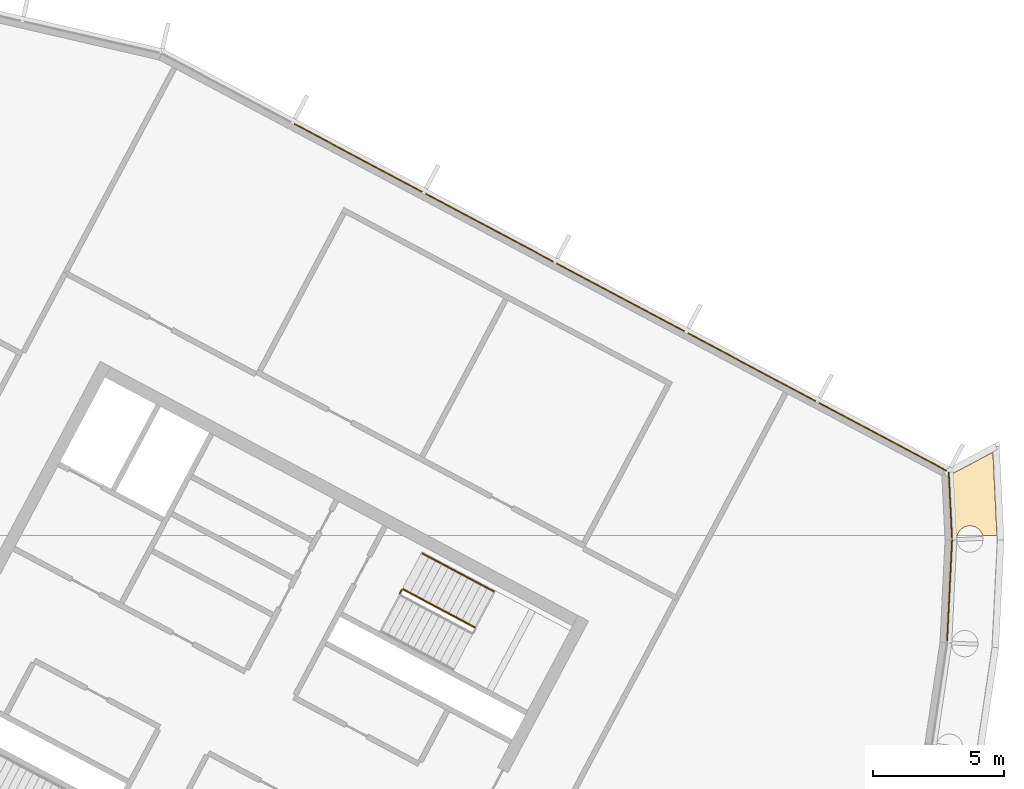
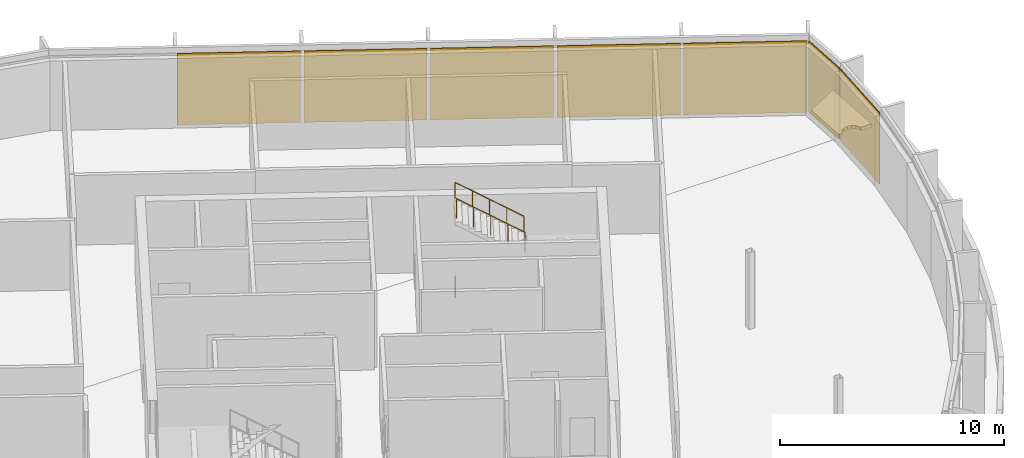
# One storey, part 15 of 16: 8 coverings, 3 railings, 3 elements without a shape of their own.
"""IFC4 building model written with IfcOpenShell, lengths in metres."""

import ifcopenshell
import ifcopenshell.guid

model = None  # the IFC model being written
_history = None  # IfcOwnerHistory: only IFC2X3 demands one
_inside = {}  # id of a spatial element -> (the spatial element, [elements in it])
_under = {}  # id of a project, library or spatial element -> (it, [spatial elements below it])
_declared = {}  # id of a project -> (the project, [libraries it declares])
_typed = {}  # id of a type object -> (the type object, [elements of that type])
_made_of = {}  # id of a material, layer set ... -> (it, [elements and type objects made of it])


def new_model(schema):
    """Start an empty IFC model of exactly this schema.

    Asked for "IFC4X3", IfcOpenShell would pick the latest addendum, in which some entities
    have other attributes; the version numbers below select the first issue.
    IFC2X3 requires an IfcOwnerHistory on every rooted entity: one is made here for all.
    """
    global model, _history
    if schema == "IFC4X3":
        model = ifcopenshell.file(schema_version=(4, 3, 0, 0))
    else:
        model = ifcopenshell.file(schema=schema)
    _inside.clear()
    _under.clear()
    _declared.clear()
    _typed.clear()
    _made_of.clear()
    _history = None
    if model.schema == "IFC2X3":
        org = make("IfcOrganization", Name="unknown")
        user = make(
            "IfcPersonAndOrganization",
            ThePerson=make("IfcPerson", FamilyName="unknown"),
            TheOrganization=org,
        )
        app = make(
            "IfcApplication",
            ApplicationDeveloper=org,
            Version="unknown",
            ApplicationFullName="unknown",
            ApplicationIdentifier="unknown",
        )
        _history = make(
            "IfcOwnerHistory",
            OwningUser=user,
            OwningApplication=app,
            ChangeAction="ADDED",
            CreationDate=0,
        )
    return model


def make(cls, **values):
    """One entity of the class cls with the attributes given. An attribute that is None is left unset."""
    return model.create_entity(
        cls, **{name: value for name, value in values.items() if value is not None}
    )


def rooted(cls, **values):
    """An entity with a GlobalId (a new one), such as an element, a storey or a relation."""
    return make(cls, GlobalId=ifcopenshell.guid.new(), OwnerHistory=_history, **values)


def si_unit(unit_type, name, prefix=None):
    """IfcSIUnit, for example si_unit("LENGTHUNIT", "METRE", prefix="MILLI")."""
    return make("IfcSIUnit", UnitType=unit_type, Prefix=prefix, Name=name)


def assignment(units):
    """IfcUnitAssignment: the units of a project."""
    return None if units is None else make("IfcUnitAssignment", Units=units)


def point(xyz):
    """IfcCartesianPoint."""
    return None if xyz is None else make("IfcCartesianPoint", Coordinates=xyz)


def direction(xyz):
    """IfcDirection."""
    return None if xyz is None else make("IfcDirection", DirectionRatios=xyz)


def frame(location, z_axis=None, x_axis=None):
    """IfcAxis2Placement3D, a coordinate frame: its origin and axes. An axis left out is left unset."""
    return make(
        "IfcAxis2Placement3D",
        Location=point(location),
        Axis=direction(z_axis),
        RefDirection=direction(x_axis),
    )


def frame_2d(location, x_axis=None):
    """IfcAxis2Placement2D, a coordinate frame in the plane: its origin and x axis."""
    return make(
        "IfcAxis2Placement2D", Location=point(location), RefDirection=direction(x_axis)
    )


def origin():
    """The frame at (0, 0, 0) with its axes left unset."""
    return frame((0.0, 0.0, 0.0))


def origin_2d():
    """The frame at (0, 0) in the plane with its x axis left unset."""
    return frame_2d((0.0, 0.0))


def place(relative_to, where):
    """IfcLocalPlacement: puts the frame where relative to a parent placement (None: the world)."""
    return make(
        "IfcLocalPlacement", PlacementRelTo=relative_to, RelativePlacement=where
    )


def context(
    kind, dimensions, precision=None, world=None, true_north=None, identifier=None
):
    """IfcGeometricRepresentationContext, for example the 3D "Model" context."""
    return make(
        "IfcGeometricRepresentationContext",
        ContextIdentifier=identifier,
        ContextType=kind,
        CoordinateSpaceDimension=dimensions,
        Precision=precision,
        WorldCoordinateSystem=world,
        TrueNorth=true_north,
    )


def subcontext(parent, identifier, kind, view, scale=None):
    """IfcGeometricRepresentationSubContext, for example "Body" below "Model"."""
    return make(
        "IfcGeometricRepresentationSubContext",
        ContextIdentifier=identifier,
        ContextType=kind,
        ParentContext=parent,
        TargetScale=scale,
        TargetView=view,
    )


def project(units=None, contexts=None):
    """IfcProject with its units and contexts."""
    return rooted(
        "IfcProject",
        Name="project",
        RepresentationContexts=contexts,
        UnitsInContext=assignment(units),
    )


def spatial(cls, under=None, at=None, **own):
    """A site, building, storey or space (cls), placed at a placement, below another one or the project."""
    s = rooted(cls, ObjectPlacement=at, **own)
    if under is not None:
        _under.setdefault(under.id(), (under, []))[1].append(s)
    return s


def polyline(points):
    """IfcPolyline through the points."""
    return make("IfcPolyline", Points=[point(p) for p in points])


def profile(cls, at=None, kind="AREA", **sizes):
    """A parametric profile (cls). Its sizes go by their IFC names, for example OverallWidth=200.0."""
    return make(cls, ProfileType=kind, Position=at, **sizes)


def rectangle(**sizes):
    """IfcRectangleProfileDef."""
    return profile("IfcRectangleProfileDef", **sizes)


def outline(outer, holes=None, kind="AREA"):
    """IfcArbitraryClosedProfileDef: a profile drawn as a closed curve; with holes, ...WithVoids."""
    if holes is None:
        return make("IfcArbitraryClosedProfileDef", ProfileType=kind, OuterCurve=outer)
    return make(
        "IfcArbitraryProfileDefWithVoids",
        ProfileType=kind,
        OuterCurve=outer,
        InnerCurves=holes,
    )


def extrude(swept, where, along, depth):
    """IfcExtrudedAreaSolid: the profile swept, set in the frame where, extruded along a direction by depth."""
    return make(
        "IfcExtrudedAreaSolid",
        SweptArea=swept,
        Position=where,
        ExtrudedDirection=direction(along),
        Depth=depth,
    )


def shape(context_of_items, identifier, shape_type, items):
    """IfcShapeRepresentation: the items that make up one representation, for example the "Body"."""
    return make(
        "IfcShapeRepresentation",
        ContextOfItems=context_of_items,
        RepresentationIdentifier=identifier,
        RepresentationType=shape_type,
        Items=items,
    )


def material(Name=None, Category=None):
    """IfcMaterial."""
    return make("IfcMaterial", Name=Name, Category=Category)


def layer(
    of_material, thickness, ventilated=None, Name=None, Category=None, Priority=None
):
    """IfcMaterialLayer: one layer of a wall or slab, of a material (None: an air gap)."""
    return make(
        "IfcMaterialLayer",
        Material=of_material,
        LayerThickness=thickness,
        IsVentilated=ventilated,
        Name=Name,
        Category=Category,
        Priority=Priority,
    )


def layer_set(layers, Name=None):
    """IfcMaterialLayerSet."""
    return make("IfcMaterialLayerSet", MaterialLayers=layers, LayerSetName=Name)


def made_of(thing, what):
    """Note that an element or type object is made of a material, layer set ...; save() writes the relation."""
    if what is not None:
        _made_of.setdefault(what.id(), (what, []))[1].append(thing)
    return thing


def type_object(cls, material=None, **own):
    """A type object (cls), such as IfcWallType, which elements share."""
    return made_of(rooted(cls, **own), material)


def element(
    cls,
    number,
    at=None,
    inside=None,
    cuts=None,
    type_object=None,
    material=None,
    context=None,
    identifier="Body",
    shape_type=None,
    held_by="IfcProductDefinitionShape",
    body=None,
    shapes=None,
    **own,
):
    """One element of the class cls, such as IfcWall. Its Tag is "e" and its number.

    at: its placement. inside: the storey or other place that contains it. cuts: it is an
    opening in that element (IfcRelVoidsElement). A single representation is given by context,
    identifier, shape_type and body (its items); several are given by shapes. held_by: the class
    of the entity that holds the representations. save() writes the other relations.
    """
    e = rooted(cls, Tag="e%d" % number, ObjectPlacement=at, **own)
    if body is not None:
        shapes = [shape(context, identifier, shape_type, body)]
    if shapes is not None:
        e.Representation = make(held_by, Representations=shapes)
    if inside is not None:
        _inside.setdefault(inside.id(), (inside, []))[1].append(e)
    if cuts is not None:
        rooted(
            "IfcRelVoidsElement", RelatingBuildingElement=cuts, RelatedOpeningElement=e
        )
    if type_object is not None:
        _typed.setdefault(type_object.id(), (type_object, []))[1].append(e)
    return made_of(e, material)


def aggregate(whole, parts):
    """IfcRelAggregates: a whole, such as a stair, and the parts it consists of."""
    return rooted("IfcRelAggregates", RelatingObject=whole, RelatedObjects=parts)


def save(model, path):
    """Write the relations noted so far, then the file.

    IfcRelAggregates (storeys below a building ...), IfcRelContainedInSpatialStructure (elements
    in a storey), IfcRelDefinesByType, IfcRelAssociatesMaterial and IfcRelDeclares: one each for
    every whole, place, type object, material and project.
    """
    for whole, parts in _under.values():
        aggregate(whole, parts)
    for where, things in _inside.values():
        rooted(
            "IfcRelContainedInSpatialStructure",
            RelatedElements=things,
            RelatingStructure=where,
        )
    for kind, things in _typed.values():
        rooted("IfcRelDefinesByType", RelatedObjects=things, RelatingType=kind)
    for what, things in _made_of.values():
        rooted("IfcRelAssociatesMaterial", RelatedObjects=things, RelatingMaterial=what)
    for by, libraries in _declared.values():
        rooted("IfcRelDeclares", RelatingContext=by, RelatedDefinitions=libraries)
    model.write(path)


model = new_model("IFC4")

# Units and contexts
model_context = context("Model", 3, precision=1e-05, world=origin(), true_north=direction((0.0, 1.0)))
body_context = subcontext(model_context, "Body", "Model", "MODEL_VIEW")
ifc_project = project(units=[si_unit("LENGTHUNIT", "METRE"), si_unit("AREAUNIT", "SQUARE_METRE"), si_unit("VOLUMEUNIT", "CUBIC_METRE"), si_unit("PLANEANGLEUNIT", "RADIAN"), si_unit("MASSUNIT", "GRAM", prefix="KILO")], contexts=[model_context])

# Site, building, storey
site_placement = place(None, origin())
site = spatial("IfcSite", under=ifc_project, at=site_placement, CompositionType="ELEMENT")
building_placement = place(site_placement, origin())
building = spatial("IfcBuilding", under=site, at=building_placement, Name="Cormorant Relay Tower", CompositionType="ELEMENT")
storey_placement = place(building_placement, frame((0.0, 0.0, 340.800048828125)))
storey = spatial("IfcBuildingStorey", under=building, at=storey_placement, Name="C4", CompositionType="ELEMENT", Elevation=340.800048828125)

# Curtain wall, covering
ifc_material_1 = material(Name="Aluminium 6063-T6 anodised bronze", Category="aluminium")
ifc_layer_1 = layer(ifc_material_1, 0.199951171875)
ifc_layer_set_1 = layer_set([ifc_layer_1], Name="CW3 crown screen wall")
curtain_wall_type = type_object("IfcCurtainWallType", Name="CW3 crown screen wall", PredefinedType="NOTDEFINED", material=ifc_layer_set_1)
curtain_wall_1_placement = place(storey_placement, origin())
curtain_wall_1 = element("IfcCurtainWall", 1, at=curtain_wall_1_placement, inside=storey, type_object=curtain_wall_type, Name="CW3 curtain wall 12", PredefinedType="NOTDEFINED")
ifc_material_2 = material(Name="Perforated bronze anodised aluminium screen", Category="aluminium")
ifc_layer_2 = layer(ifc_material_2, 0.0400390625)
ifc_layer_set_2 = layer_set([ifc_layer_2], Name="CW3 perforated bronze screen panel 40")
covering_type_1 = type_object("IfcCoveringType", Name="CW3 perforated bronze screen panel 40", PredefinedType="CLADDING", material=ifc_layer_set_2)
covering_1_placement = place(storey_placement, frame((0.19287109375, 19.202392578125, 0.0), z_axis=(0.0, 0.0, 1.0), x_axis=(0.049067674327, 0.998795456205, 0.0)))
covering_1 = element("IfcCovering", 2, at=covering_1_placement, type_object=covering_type_1, Name="CW3 panel X00", PredefinedType="CLADDING", context=body_context, shape_type="SweptSolid", body=[
    extrude(rectangle(XDim=3.850341796875, YDim=0.0400390625, at=origin_2d()), origin(), (0.0, 0.0, 1.0), 3.89990234375),
])
aggregate(curtain_wall_1, [covering_1])

curtain_wall_2_placement = place(storey_placement, origin())
curtain_wall_2 = element("IfcCurtainWall", 3, at=curtain_wall_2_placement, inside=storey, type_object=curtain_wall_type, Name="CW3 curtain wall 13", PredefinedType="NOTDEFINED")
covering_2_placement = place(storey_placement, frame((0.221923828125, 22.456298828125, 0.0), z_axis=(0.0, 0.0, 1.0), x_axis=(-0.049067674327, 0.998795456205, 0.0)))
covering_2 = element("IfcCovering", 4, at=covering_2_placement, type_object=covering_type_1, Name="CW3 panel X00", PredefinedType="CLADDING", context=body_context, shape_type="SweptSolid", body=[
    extrude(rectangle(XDim=2.51123046875, YDim=0.0400390625, at=origin_2d()), origin(), (0.0, 0.0, 1.0), 3.89990234375),
])
aggregate(curtain_wall_2, [covering_2])

# Curtain wall, coverings
curtain_wall_3_placement = place(storey_placement, origin())
curtain_wall_3 = element("IfcCurtainWall", 5, at=curtain_wall_3_placement, inside=storey, type_object=curtain_wall_type, Name="CW3 curtain wall 14", PredefinedType="NOTDEFINED")
covering_3_placement = place(storey_placement, frame((-2.351318359375, 25.056884765625, 0.0), z_axis=(0.0, 0.0, 1.0), x_axis=(-0.882947592859, 0.469471562786, 0.0)))
covering_3 = element("IfcCovering", 6, at=covering_3_placement, type_object=covering_type_1, Name="CW3 panel X00", PredefinedType="CLADDING", context=body_context, shape_type="SweptSolid", body=[
    extrude(rectangle(XDim=5.515380859375, YDim=0.0400390625, at=origin_2d()), origin(), (0.0, 0.0, 1.0), 3.89990234375),
])
covering_4_placement = place(storey_placement, frame((-7.353759765625, 27.716796875, 0.0), z_axis=(0.0, 0.0, 1.0), x_axis=(-0.882947592859, 0.469471562786, 0.0)))
covering_4 = element("IfcCovering", 7, at=covering_4_placement, type_object=covering_type_1, Name="CW3 panel X01", PredefinedType="CLADDING", context=body_context, shape_type="SweptSolid", body=[
    extrude(rectangle(XDim=5.515380859375, YDim=0.0400390625, at=origin_2d()), origin(), (0.0, 0.0, 1.0), 3.89990234375),
])
covering_5_placement = place(storey_placement, frame((-12.356201171875, 30.37646484375, 0.0), z_axis=(0.0, 0.0, 1.0), x_axis=(-0.882947592859, 0.469471562786, 0.0)))
covering_5 = element("IfcCovering", 8, at=covering_5_placement, type_object=covering_type_1, Name="CW3 panel X02", PredefinedType="CLADDING", context=body_context, shape_type="SweptSolid", body=[
    extrude(rectangle(XDim=5.515380859375, YDim=0.0400390625, at=origin_2d()), origin(), (0.0, 0.0, 1.0), 3.89990234375),
])
covering_6_placement = place(storey_placement, frame((-17.3583984375, 33.036376953125, 0.0), z_axis=(0.0, 0.0, 1.0), x_axis=(-0.882947592859, 0.469471562786, 0.0)))
covering_6 = element("IfcCovering", 9, at=covering_6_placement, type_object=covering_type_1, Name="CW3 panel X03", PredefinedType="CLADDING", context=body_context, shape_type="SweptSolid", body=[
    extrude(rectangle(XDim=5.515380859375, YDim=0.0400390625, at=origin_2d()), origin(), (0.0, 0.0, 1.0), 3.89990234375),
])
covering_7_placement = place(storey_placement, frame((-22.36083984375, 35.696044921875, 0.0), z_axis=(0.0, 0.0, 1.0), x_axis=(-0.882947592859, 0.469471562786, 0.0)))
covering_7 = element("IfcCovering", 10, at=covering_7_placement, type_object=covering_type_1, Name="CW3 panel X04", PredefinedType="CLADDING", context=body_context, shape_type="SweptSolid", body=[
    extrude(rectangle(XDim=5.515380859375, YDim=0.0400390625, at=origin_2d()), origin(), (0.0, 0.0, 1.0), 3.89990234375),
])
aggregate(curtain_wall_3, [covering_3, covering_4, covering_5, covering_6, covering_7])

# Covering
ifc_material_3 = material(Name="Bituminous waterproof membrane on mineral wool insulation")
ifc_layer_3 = layer(ifc_material_3, 0.179931640625)
ifc_layer_set_3 = layer_set([ifc_layer_3], Name="Roof membrane and insulation 180")
covering_type_2 = type_object("IfcCoveringType", Name="Roof membrane and insulation 180", PredefinedType="ROOFING", material=ifc_layer_set_3)
covering_8_placement = place(storey_placement, origin())
element("IfcCovering", 11, at=covering_8_placement, inside=storey, type_object=covering_type_2, Name="Roof membrane", PredefinedType="ROOFING", context=body_context, shape_type="SweptSolid", body=[
    extrude(outline(polyline([(0.308837890625, 21.300048828125), (0.1962890625, 23.59375), (1.8427734375, 24.469482421875), (1.99853515625, 21.300048828125), (1.448974609375, 21.300048828125), (1.43798828125, 21.355712890625), (1.327392578125, 21.521484375), (1.16162109375, 21.632080078125), (0.966552734375, 21.6708984375), (0.771240234375, 21.632080078125), (0.605712890625, 21.521484375), (0.4951171875, 21.355712890625), (0.48388671875, 21.300048828125), (0.308837890625, 21.300048828125)])), origin(), (0.0, 0.0, 1.0), 0.179931640625),
])

# Railings
ifc_material_4 = material(Name="Steel ASTM A572 Grade 50 (Fy 345 MPa)", Category="steel")
railing_type_1 = type_object("IfcRailingType", Name="Stair guard 1100", PredefinedType="GUARDRAIL", material=ifc_material_4)
railing_1_placement = place(storey_placement, frame((-17.913818359375, 17.792724609375, 2.27490234375)))
element("IfcRailing", 12, at=railing_1_placement, inside=storey, type_object=railing_type_1, Name="C4 A1 stair guard 3", PredefinedType="GUARDRAIL", context=body_context, shape_type="SweptSolid", body=[
    extrude(outline(polyline([(0.022216796875, 0.00927734375), (0.00927734375, 0.022216796875), (-0.00927734375, 0.022216796875), (-0.022216796875, 0.00927734375), (-0.022216796875, -0.00927734375), (-0.00927734375, -0.022216796875), (0.00927734375, -0.022216796875), (0.022216796875, -0.00927734375), (0.022216796875, 0.00927734375)])), frame((0.0, 0.0, 1.076171875), z_axis=(-0.748747275397, 0.39806817173, 0.530018158408), x_axis=(-0.469427602063, -0.882970965786, 0.0)), (0.0, 0.0, 1.0), 3.632080078125),
    extrude(outline(polyline([(0.019287109375, 0.008056640625), (0.008056640625, 0.019287109375), (-0.008056640625, 0.019287109375), (-0.019287109375, 0.008056640625), (-0.019287109375, -0.008056640625), (-0.008056640625, -0.019287109375), (0.008056640625, -0.019287109375), (0.019287109375, -0.008056640625), (0.019287109375, 0.008056640625)])), origin(), (0.0, 0.0, 1.0), 1.052001953125),
    extrude(outline(polyline([(0.019287109375, 0.008056640625), (0.008056640625, 0.019287109375), (-0.008056640625, 0.019287109375), (-0.019287109375, 0.008056640625), (-0.019287109375, -0.008056640625), (-0.008056640625, -0.019287109375), (0.008056640625, -0.019287109375), (0.019287109375, -0.008056640625), (0.019287109375, 0.008056640625)])), frame((-0.679931640625, 0.361328125, 0.481201171875)), (0.0, 0.0, 1.0), 1.052001953125),
    extrude(outline(polyline([(0.019287109375, 0.008056640625), (0.008056640625, 0.019287109375), (-0.008056640625, 0.019287109375), (-0.019287109375, 0.008056640625), (-0.019287109375, -0.008056640625), (-0.008056640625, -0.019287109375), (0.008056640625, -0.019287109375), (0.019287109375, -0.008056640625), (0.019287109375, 0.008056640625)])), frame((-1.35986328125, 0.722900390625, 0.96240234375)), (0.0, 0.0, 1.0), 1.052001953125),
    extrude(outline(polyline([(0.019287109375, 0.008056640625), (0.008056640625, 0.019287109375), (-0.008056640625, 0.019287109375), (-0.019287109375, 0.008056640625), (-0.019287109375, -0.008056640625), (-0.008056640625, -0.019287109375), (0.008056640625, -0.019287109375), (0.019287109375, -0.008056640625), (0.019287109375, 0.008056640625)])), frame((-2.03955078125, 1.08447265625, 1.44384765625)), (0.0, 0.0, 1.0), 1.052001953125),
    extrude(outline(polyline([(0.019287109375, 0.008056640625), (0.008056640625, 0.019287109375), (-0.008056640625, 0.019287109375), (-0.019287109375, 0.008056640625), (-0.019287109375, -0.008056640625), (-0.008056640625, -0.019287109375), (0.008056640625, -0.019287109375), (0.019287109375, -0.008056640625), (0.019287109375, 0.008056640625)])), frame((-2.719482421875, 1.44580078125, 1.925048828125)), (0.0, 0.0, 1.0), 1.052001953125),
])
railing_2_placement = place(storey_placement, frame((-20.771240234375, 19.08544921875, 0.0)))
element("IfcRailing", 13, at=railing_2_placement, inside=storey, type_object=railing_type_1, Name="C4 A1 stair guard 4", PredefinedType="GUARDRAIL", context=body_context, shape_type="SweptSolid", body=[
    extrude(outline(polyline([(0.022216796875, 0.00927734375), (0.00927734375, 0.022216796875), (-0.00927734375, 0.022216796875), (-0.022216796875, 0.00927734375), (-0.022216796875, -0.00927734375), (-0.00927734375, -0.022216796875), (0.00927734375, -0.022216796875), (0.022216796875, -0.00927734375), (0.022216796875, 0.00927734375)])), frame((0.0, 0.0, 1.076171875), z_axis=(0.469828648786, 0.882757634224, 0.0), x_axis=(-0.882757634224, 0.469828648786, 0.0)), (0.0, 0.0, 1.0), 0.150146484375),
    extrude(outline(polyline([(0.019287109375, 0.008056640625), (0.008056640625, 0.019287109375), (-0.008056640625, 0.019287109375), (-0.019287109375, 0.008056640625), (-0.019287109375, -0.008056640625), (-0.008056640625, -0.019287109375), (0.008056640625, -0.019287109375), (0.019287109375, -0.008056640625), (0.019287109375, 0.008056640625)])), origin(), (0.0, 0.0, 1.0), 1.052001953125),
    extrude(outline(polyline([(0.019287109375, 0.008056640625), (0.008056640625, 0.019287109375), (-0.008056640625, 0.019287109375), (-0.019287109375, 0.008056640625), (-0.019287109375, -0.008056640625), (-0.008056640625, -0.019287109375), (0.008056640625, -0.019287109375), (0.019287109375, -0.008056640625), (0.019287109375, 0.008056640625)])), frame((0.070556640625, 0.132568359375, 0.0)), (0.0, 0.0, 1.0), 1.052001953125),
])
ifc_material_5 = material(Name="Steel ASTM A572 Grade 50 (Fy 345 MPa)", Category="steel")
railing_type_2 = type_object("IfcRailingType", Name="Stair handrail 900", PredefinedType="HANDRAIL", material=ifc_material_5)
railing_3_placement = place(storey_placement, frame((-17.18603515625, 19.1611328125, 2.27490234375)))
element("IfcRailing", 14, at=railing_3_placement, inside=storey, type_object=railing_type_2, Name="C4 A1 stair handrail 2", PredefinedType="HANDRAIL", context=body_context, shape_type="SweptSolid", body=[
    extrude(outline(polyline([(0.022216796875, 0.00927734375), (0.00927734375, 0.022216796875), (-0.00927734375, 0.022216796875), (-0.022216796875, 0.00927734375), (-0.022216796875, -0.00927734375), (-0.00927734375, -0.022216796875), (0.00927734375, -0.022216796875), (0.022216796875, -0.00927734375), (0.022216796875, 0.00927734375)])), frame((0.0, 0.0, 0.8759765625), z_axis=(-0.748727239859, 0.398124736663, 0.530003975787), x_axis=(-0.469489399267, -0.882938108802, 0.0)), (0.0, 0.0, 1.0), 3.632080078125),
    extrude(outline(polyline([(0.019287109375, 0.008056640625), (0.008056640625, 0.019287109375), (-0.008056640625, 0.019287109375), (-0.019287109375, 0.008056640625), (-0.019287109375, -0.008056640625), (-0.008056640625, -0.019287109375), (0.008056640625, -0.019287109375), (0.019287109375, -0.008056640625), (0.019287109375, 0.008056640625)])), origin(), (0.0, 0.0, 1.0), 0.851806640625),
    extrude(outline(polyline([(0.019287109375, 0.008056640625), (0.008056640625, 0.019287109375), (-0.008056640625, 0.019287109375), (-0.019287109375, 0.008056640625), (-0.019287109375, -0.008056640625), (-0.008056640625, -0.019287109375), (0.008056640625, -0.019287109375), (0.019287109375, -0.008056640625), (0.019287109375, 0.008056640625)])), frame((-0.679931640625, 0.361572265625, 0.481201171875)), (0.0, 0.0, 1.0), 0.851806640625),
    extrude(outline(polyline([(0.019287109375, 0.008056640625), (0.008056640625, 0.019287109375), (-0.008056640625, 0.019287109375), (-0.019287109375, 0.008056640625), (-0.019287109375, -0.008056640625), (-0.008056640625, -0.019287109375), (0.008056640625, -0.019287109375), (0.019287109375, -0.008056640625), (0.019287109375, 0.008056640625)])), frame((-1.35986328125, 0.72314453125, 0.96240234375)), (0.0, 0.0, 1.0), 0.851806640625),
    extrude(outline(polyline([(0.019287109375, 0.008056640625), (0.008056640625, 0.019287109375), (-0.008056640625, 0.019287109375), (-0.019287109375, 0.008056640625), (-0.019287109375, -0.008056640625), (-0.008056640625, -0.019287109375), (0.008056640625, -0.019287109375), (0.019287109375, -0.008056640625), (0.019287109375, 0.008056640625)])), frame((-2.03955078125, 1.08447265625, 1.44384765625)), (0.0, 0.0, 1.0), 0.851806640625),
    extrude(outline(polyline([(0.019287109375, 0.008056640625), (0.008056640625, 0.019287109375), (-0.008056640625, 0.019287109375), (-0.019287109375, 0.008056640625), (-0.019287109375, -0.008056640625), (-0.008056640625, -0.019287109375), (0.008056640625, -0.019287109375), (0.019287109375, -0.008056640625), (0.019287109375, 0.008056640625)])), frame((-2.719482421875, 1.446044921875, 1.925048828125)), (0.0, 0.0, 1.0), 0.851806640625),
])

save(model, "model.ifc")
